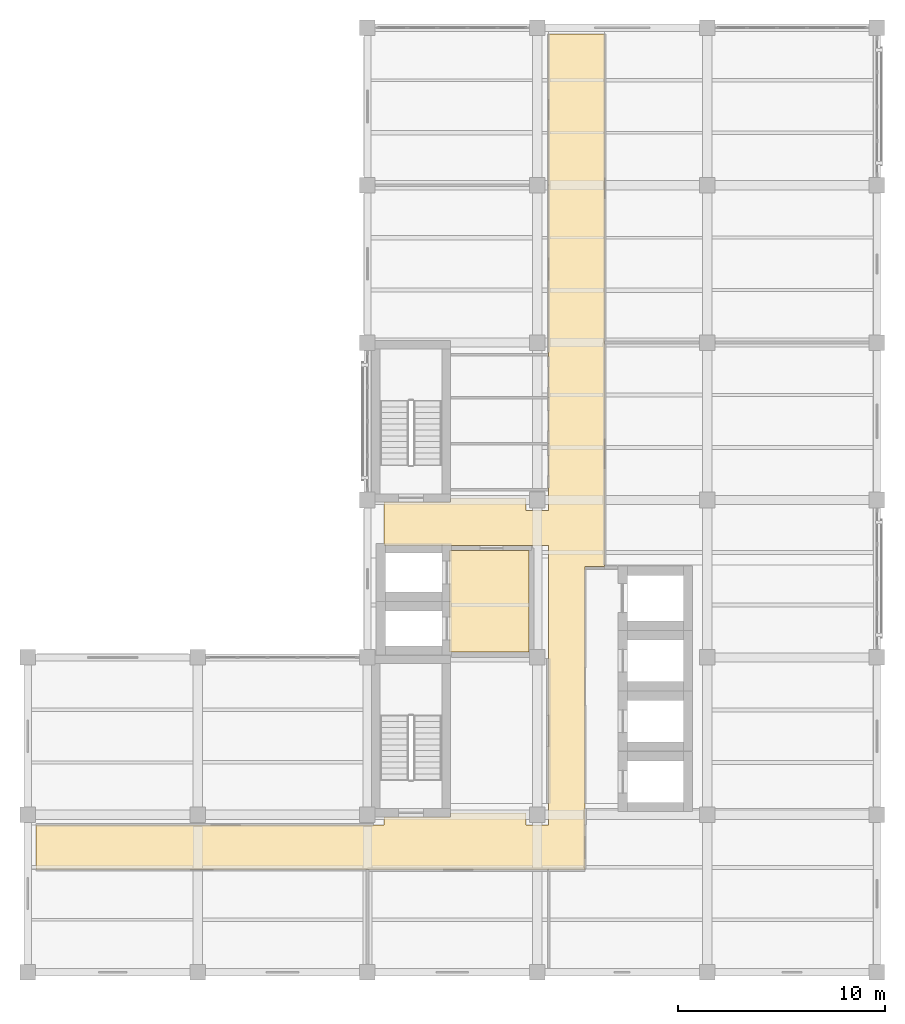
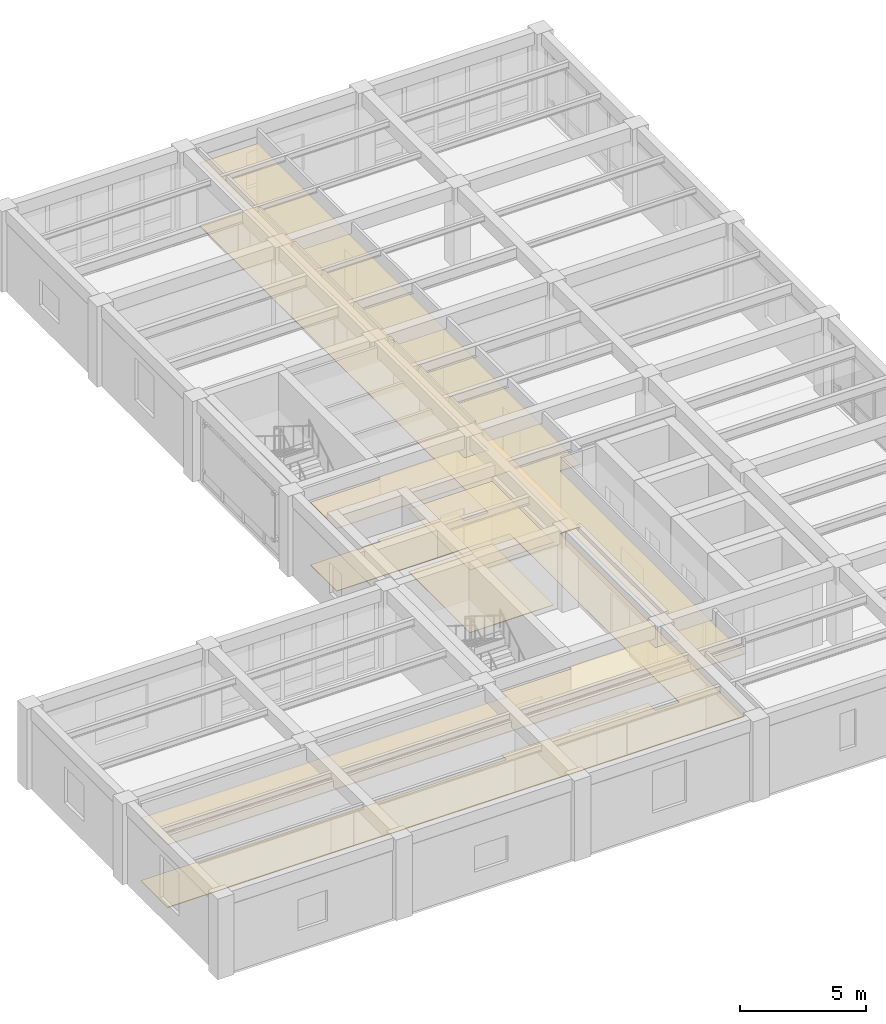
# One storey, part 11 of 13: 4 coverings.
"""IFC4 building model written with IfcOpenShell, lengths in metres."""

from ifc_helpers import new_model, si_unit, direction, frame, origin, place, context, subcontext, project, spatial, polyline, outline, extrude, material, layer, layer_set, type_object, element, save


model = new_model("IFC4")

# Units and contexts
model_context = context("Model", 3, precision=1e-05, world=origin(), true_north=direction((0.0, 1.0)))
body_context = subcontext(model_context, "Body", "Model", "MODEL_VIEW")
ifc_project = project(units=[si_unit("LENGTHUNIT", "METRE"), si_unit("AREAUNIT", "SQUARE_METRE"), si_unit("VOLUMEUNIT", "CUBIC_METRE"), si_unit("PLANEANGLEUNIT", "RADIAN"), si_unit("MASSUNIT", "GRAM", prefix="KILO")], contexts=[model_context])

# Site, building, storey
site_placement = place(None, origin())
site = spatial("IfcSite", under=ifc_project, at=site_placement, CompositionType="ELEMENT")
building_placement = place(site_placement, origin())
building = spatial("IfcBuilding", under=site, at=building_placement, Name="Qandaris Square Conservatory and Botanical Centre", CompositionType="ELEMENT")
storey_placement = place(building_placement, frame((0.0, 0.0, 57.60009765625)))
storey = spatial("IfcBuildingStorey", under=building, at=storey_placement, Name="L13", CompositionType="ELEMENT", Elevation=57.60009765625)

# Coverings
ifc_material_1 = material(Name="Honed Qatari Limestone", Category="masonry")
ifc_layer_1 = layer(ifc_material_1, 0.030029296875)
ifc_layer_set_1 = layer_set([ifc_layer_1], Name="Honed Qatari Limestone")
covering_type_1 = type_object("IfcCoveringType", Name="Honed Qatari Limestone Concourse Paving", PredefinedType="FLOORING", material=ifc_layer_set_1)
covering_1_placement = place(storey_placement, origin())
element("IfcCovering", 1, at=covering_1_placement, inside=storey, type_object=covering_type_1, Name="Firefighting Lift Lobby L13 Flooring", PredefinedType="FLOORING", context=body_context, shape_type="SweptSolid", body=[
    extrude(outline(polyline([(143.14990234375, 36.949951171875), (147.0, 36.949951171875), (147.0, 32.050048828125), (143.14990234375, 32.050048828125), (143.14990234375, 36.949951171875)])), origin(), (0.0, 0.0, 1.0), 0.02978515625),
])
covering_2_placement = place(storey_placement, origin())
element("IfcCovering", 2, at=covering_2_placement, inside=storey, type_object=covering_type_1, Name="Main Circulation Corridor L13 Flooring", PredefinedType="FLOORING", context=body_context, shape_type="SweptSolid", body=[
    extrude(outline(polyline([(140.0, 24.10009765625), (143.199951171875, 24.10009765625), (143.199951171875, 24.280029296875), (146.85009765625, 24.280029296875), (146.85009765625, 23.699951171875), (147.949951171875, 23.699951171875), (147.949951171875, 24.75), (147.949951171875, 31.75), (147.949951171875, 36.199951171875), (147.949951171875, 37.199951171875), (140.0, 37.199951171875), (140.0, 38.89990234375), (140.0, 39.300048828125), (143.199951171875, 39.300048828125), (143.199951171875, 39.47998046875), (146.85009765625, 39.47998046875), (146.85009765625, 38.89990234375), (147.949951171875, 38.89990234375), (147.949951171875, 39.89990234375), (147.949951171875, 42.1201171875), (147.949951171875, 44.340087890625), (147.949951171875, 46.419921875), (147.949951171875, 61.89990234375), (150.64990234375, 61.89990234375), (150.64990234375, 36.199951171875), (149.699951171875, 36.199951171875), (149.699951171875, 36.050048828125), (149.699951171875, 24.75), (149.699951171875, 23.699951171875), (149.699951171875, 21.550048828125), (147.949951171875, 21.550048828125), (123.199951171875, 21.550048828125), (123.199951171875, 23.699951171875), (140.0, 23.699951171875), (140.0, 24.10009765625)])), origin(), (0.0, 0.0, 1.0), 0.02978515625),
])
ifc_material_2 = material(Name="Gypsum Plasterboard", Category="gypsum")
ifc_layer_2 = layer(ifc_material_2, 0.02490234375)
ifc_layer_set_2 = layer_set([ifc_layer_2], Name="Gypsum Plasterboard")
covering_type_2 = type_object("IfcCoveringType", Name="Perforated Acoustic Lab Ceiling Tile", PredefinedType="CEILING", material=ifc_layer_set_2)
covering_3_placement = place(storey_placement, frame((0.0, 0.0, 3.0498046875)))
element("IfcCovering", 3, at=covering_3_placement, inside=storey, type_object=covering_type_2, Name="Firefighting Lift Lobby L13 Ceiling", PredefinedType="CEILING", context=body_context, shape_type="SweptSolid", body=[
    extrude(outline(polyline([(143.14990234375, 36.949951171875), (147.0, 36.949951171875), (147.0, 32.050048828125), (143.14990234375, 32.050048828125), (143.14990234375, 36.949951171875)])), origin(), (0.0, 0.0, 1.0), 0.025146484375),
])
covering_4_placement = place(storey_placement, frame((0.0, 0.0, 3.0498046875)))
element("IfcCovering", 4, at=covering_4_placement, inside=storey, type_object=covering_type_2, Name="Main Circulation Corridor L13 Ceiling", PredefinedType="CEILING", context=body_context, shape_type="SweptSolid", body=[
    extrude(outline(polyline([(140.0, 24.10009765625), (143.199951171875, 24.10009765625), (143.199951171875, 24.280029296875), (146.85009765625, 24.280029296875), (146.85009765625, 23.699951171875), (147.949951171875, 23.699951171875), (147.949951171875, 24.75), (147.949951171875, 31.75), (147.949951171875, 36.199951171875), (147.949951171875, 37.199951171875), (140.0, 37.199951171875), (140.0, 38.89990234375), (140.0, 39.300048828125), (143.199951171875, 39.300048828125), (143.199951171875, 39.47998046875), (146.85009765625, 39.47998046875), (146.85009765625, 38.89990234375), (147.949951171875, 38.89990234375), (147.949951171875, 39.89990234375), (147.949951171875, 42.1201171875), (147.949951171875, 44.340087890625), (147.949951171875, 46.419921875), (147.949951171875, 61.89990234375), (150.64990234375, 61.89990234375), (150.64990234375, 36.199951171875), (149.699951171875, 36.199951171875), (149.699951171875, 36.050048828125), (149.699951171875, 24.75), (149.699951171875, 23.699951171875), (149.699951171875, 21.550048828125), (147.949951171875, 21.550048828125), (123.199951171875, 21.550048828125), (123.199951171875, 23.699951171875), (140.0, 23.699951171875), (140.0, 24.10009765625)])), origin(), (0.0, 0.0, 1.0), 0.025146484375),
])

save(model, "model.ifc")
